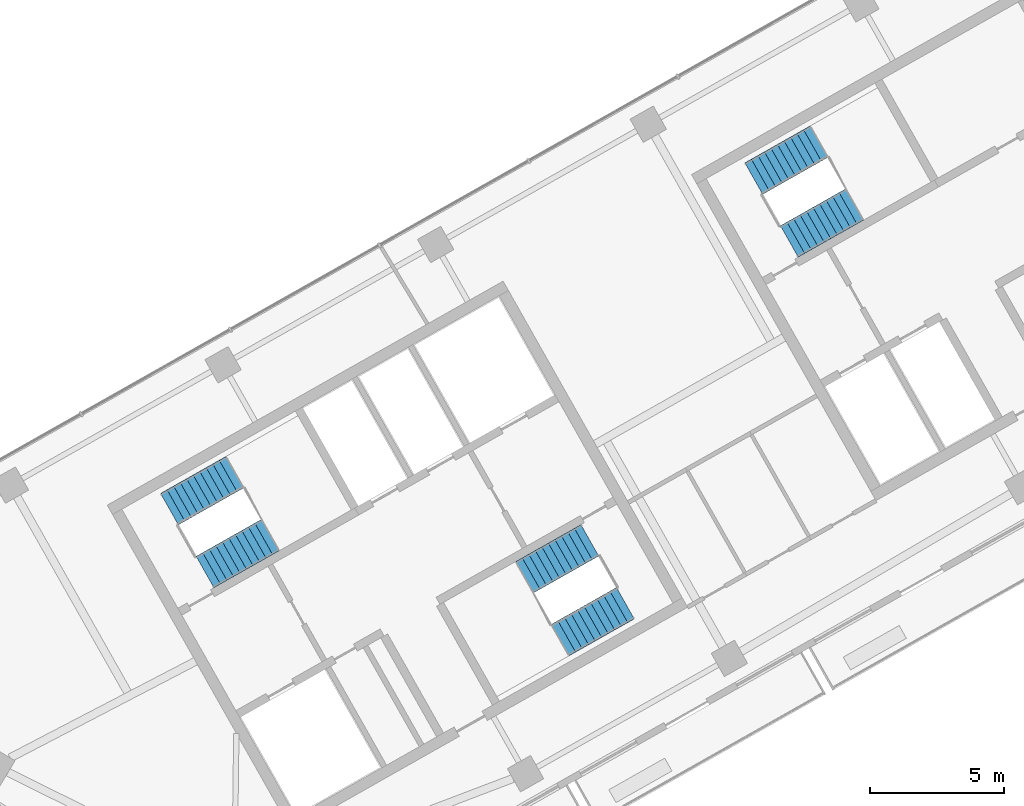
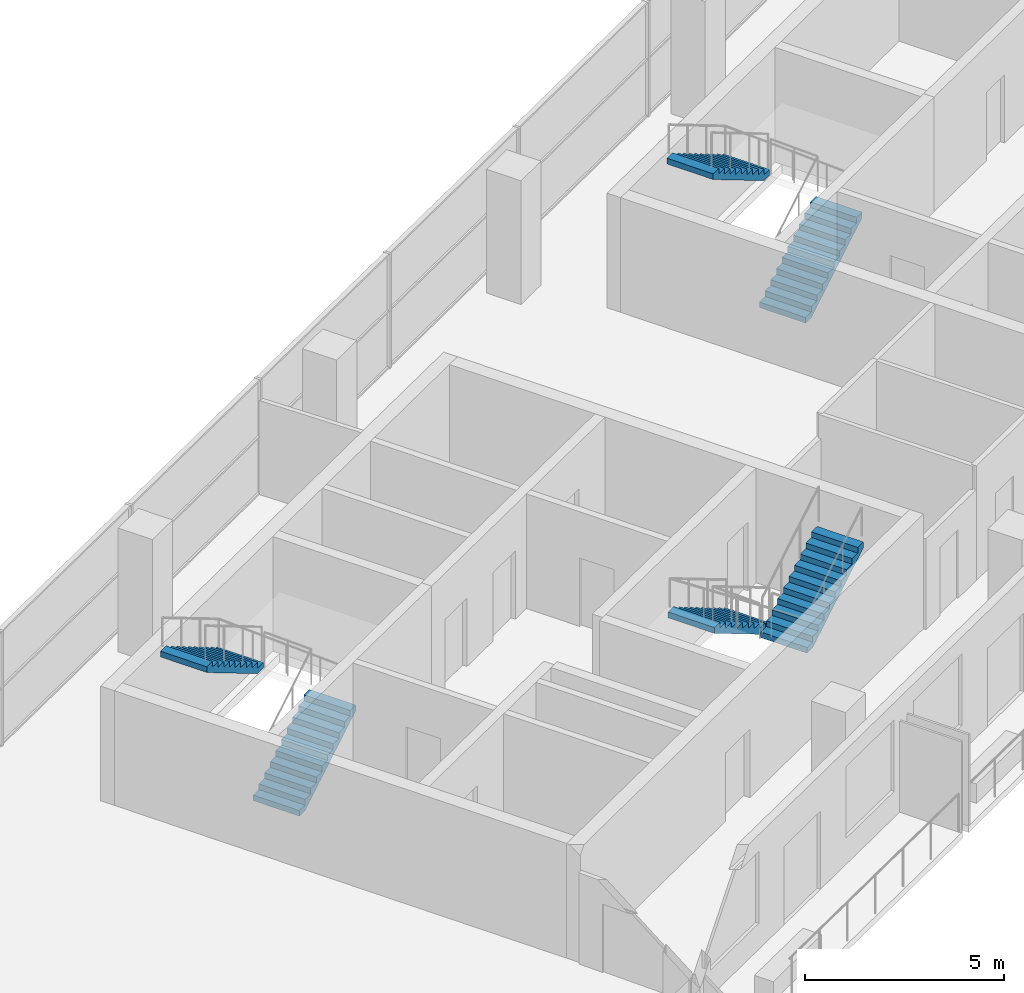
# One storey, part 8 of 10: 6 stair flights, 3 elements without a shape of their own.
"""IFC4 building model written with IfcOpenShell, lengths in metres."""

from ifc_helpers import new_model, si_unit, direction, frame, origin, place, context, subcontext, project, spatial, polyline, outline, extrude, material, type_object, element, aggregate, save


model = new_model("IFC4")

# Units and contexts
model_context = context("Model", 3, precision=1e-05, world=origin(), true_north=direction((0.0, 1.0)))
body_context = subcontext(model_context, "Body", "Model", "MODEL_VIEW")
ifc_project = project(units=[si_unit("LENGTHUNIT", "METRE"), si_unit("AREAUNIT", "SQUARE_METRE"), si_unit("VOLUMEUNIT", "CUBIC_METRE"), si_unit("PLANEANGLEUNIT", "RADIAN"), si_unit("MASSUNIT", "GRAM", prefix="KILO")], contexts=[model_context])

# Site, building, storey
site_placement = place(None, origin())
site = spatial("IfcSite", under=ifc_project, at=site_placement, CompositionType="ELEMENT")
building_placement = place(site_placement, origin())
building = spatial("IfcBuilding", under=site, at=building_placement, Name="Binnacle Exchange Tower", CompositionType="ELEMENT")
storey_placement = place(building_placement, frame((0.0, 0.0, 327.89990234375)))
storey = spatial("IfcBuildingStorey", under=building, at=storey_placement, Name="L74", CompositionType="ELEMENT", Elevation=327.89990234375)

# Stair, stair flights
ifc_material = material(Name="Concrete C35/45", Category="concrete")
stair_type = type_object("IfcStairType", Name="STAIR 22 RISERS 173", PredefinedType="HALF_TURN_STAIR", material=ifc_material)
stair_1_placement = place(storey_placement, origin())
stair_1 = element("IfcStair", 1, at=stair_1_placement, inside=storey, type_object=stair_type, Name="L74 Escape stair A1", PredefinedType="HALF_TURN_STAIR")
stair_flight_type = type_object("IfcStairFlightType", Name="STAIR FLIGHT 173X280", PredefinedType="STRAIGHT", material=ifc_material)
stair_flight_1_placement = place(storey_placement, frame((-42.9541015625, 39.17333984375, 0.0), z_axis=(0.0, 0.0, 1.0), x_axis=(0.870355584213, 0.492423757581, 0.0)))
stair_flight_1 = element("IfcStairFlight", 2, at=stair_flight_1_placement, type_object=stair_flight_type, Name="STA1 flight 1", NumberOfRisers=11, NumberOfTreads=10, PredefinedType="STRAIGHT", RiserHeight=0.172727273, TreadLength=0.28, context=body_context, shape_type="SweptSolid", body=[
    extrude(outline(polyline([(0.0, 0.0), (0.0, 0.172607421875), (0.280029296875, 0.172607421875), (0.280029296875, 0.345458984375), (0.56005859375, 0.345458984375), (0.56005859375, 0.51806640625), (0.840087890625, 0.51806640625), (0.840087890625, 0.69091796875), (1.1201171875, 0.69091796875), (1.1201171875, 0.863525390625), (1.39990234375, 0.863525390625), (1.39990234375, 1.036376953125), (1.679931640625, 1.036376953125), (1.679931640625, 1.208984375), (1.9599609375, 1.208984375), (1.9599609375, 1.3818359375), (2.239990234375, 1.3818359375), (2.239990234375, 1.554443359375), (2.52001953125, 1.554443359375), (2.52001953125, 1.727294921875), (2.800048828125, 1.727294921875), (2.800048828125, 1.89990234375), (2.800048828125, 1.551025390625), (0.285400390625, 0.0), (0.0, 0.0)])), frame((0.0, 0.675048828125, 0.0), z_axis=(0.0, -1.0, 0.0), x_axis=(1.0, 0.0, 0.0)), (0.0, 0.0, 1.0), 1.35009765625),
])
stair_flight_2_placement = place(storey_placement, frame((-41.846435546875, 42.902099609375, 1.900146484375), z_axis=(0.0, 0.0, 1.0), x_axis=(-0.870355584213, -0.492423757581, 0.0)))
stair_flight_2 = element("IfcStairFlight", 3, at=stair_flight_2_placement, type_object=stair_flight_type, Name="STA1 flight 2", NumberOfRisers=11, NumberOfTreads=10, PredefinedType="STRAIGHT", RiserHeight=0.172727273, TreadLength=0.28, context=body_context, shape_type="SweptSolid", body=[
    extrude(outline(polyline([(0.0, 0.0), (0.0, 0.172607421875), (0.280029296875, 0.172607421875), (0.280029296875, 0.345458984375), (0.56005859375, 0.345458984375), (0.56005859375, 0.51806640625), (0.840087890625, 0.51806640625), (0.840087890625, 0.69091796875), (1.1201171875, 0.69091796875), (1.1201171875, 0.863525390625), (1.39990234375, 0.863525390625), (1.39990234375, 1.036376953125), (1.679931640625, 1.036376953125), (1.679931640625, 1.208984375), (1.9599609375, 1.208984375), (1.9599609375, 1.3818359375), (2.239990234375, 1.3818359375), (2.239990234375, 1.554443359375), (2.52001953125, 1.554443359375), (2.52001953125, 1.727294921875), (2.800048828125, 1.727294921875), (2.800048828125, 1.89990234375), (2.800048828125, 1.551025390625), (0.285400390625, 0.0), (0.0, 0.0)])), frame((0.0, 0.675048828125, 0.0), z_axis=(0.0, -1.0, 0.0), x_axis=(1.0, 0.0, 0.0)), (0.0, 0.0, 1.0), 1.35009765625),
])
aggregate(stair_1, [stair_flight_1, stair_flight_2])

stair_2_placement = place(storey_placement, origin())
stair_2 = element("IfcStair", 4, at=stair_2_placement, inside=storey, type_object=stair_type, Name="L74 Escape stair A2", PredefinedType="HALF_TURN_STAIR")
stair_flight_3_placement = place(storey_placement, frame((-28.5732421875, 40.3583984375, 0.0), z_axis=(0.0, 0.0, 1.0), x_axis=(-0.870355584213, -0.492423757581, 0.0)))
stair_flight_3 = element("IfcStairFlight", 5, at=stair_flight_3_placement, type_object=stair_flight_type, Name="STA2 flight 1", NumberOfRisers=11, NumberOfTreads=10, PredefinedType="STRAIGHT", RiserHeight=0.172727273, TreadLength=0.28, context=body_context, shape_type="SweptSolid", body=[
    extrude(outline(polyline([(0.0, 0.0), (0.0, 0.172607421875), (0.280029296875, 0.172607421875), (0.280029296875, 0.345458984375), (0.56005859375, 0.345458984375), (0.56005859375, 0.51806640625), (0.840087890625, 0.51806640625), (0.840087890625, 0.69091796875), (1.1201171875, 0.69091796875), (1.1201171875, 0.863525390625), (1.39990234375, 0.863525390625), (1.39990234375, 1.036376953125), (1.679931640625, 1.036376953125), (1.679931640625, 1.208984375), (1.9599609375, 1.208984375), (1.9599609375, 1.3818359375), (2.239990234375, 1.3818359375), (2.239990234375, 1.554443359375), (2.52001953125, 1.554443359375), (2.52001953125, 1.727294921875), (2.800048828125, 1.727294921875), (2.800048828125, 1.89990234375), (2.800048828125, 1.551025390625), (0.285400390625, 0.0), (0.0, 0.0)])), frame((0.0, 0.675048828125, 0.0), z_axis=(0.0, -1.0, 0.0), x_axis=(1.0, 0.0, 0.0)), (0.0, 0.0, 1.0), 1.35009765625),
])
stair_flight_4_placement = place(storey_placement, frame((-29.6806640625, 36.629638671875, 1.900146484375), z_axis=(0.0, 0.0, 1.0), x_axis=(0.870355584213, 0.492423757581, 0.0)))
stair_flight_4 = element("IfcStairFlight", 6, at=stair_flight_4_placement, type_object=stair_flight_type, Name="STA2 flight 2", NumberOfRisers=11, NumberOfTreads=10, PredefinedType="STRAIGHT", RiserHeight=0.172727273, TreadLength=0.28, context=body_context, shape_type="SweptSolid", body=[
    extrude(outline(polyline([(0.0, 0.0), (0.0, 0.172607421875), (0.280029296875, 0.172607421875), (0.280029296875, 0.345458984375), (0.56005859375, 0.345458984375), (0.56005859375, 0.51806640625), (0.840087890625, 0.51806640625), (0.840087890625, 0.69091796875), (1.1201171875, 0.69091796875), (1.1201171875, 0.863525390625), (1.39990234375, 0.863525390625), (1.39990234375, 1.036376953125), (1.679931640625, 1.036376953125), (1.679931640625, 1.208984375), (1.9599609375, 1.208984375), (1.9599609375, 1.3818359375), (2.239990234375, 1.3818359375), (2.239990234375, 1.554443359375), (2.52001953125, 1.554443359375), (2.52001953125, 1.727294921875), (2.800048828125, 1.727294921875), (2.800048828125, 1.89990234375), (2.800048828125, 1.551025390625), (0.285400390625, 0.0), (0.0, 0.0)])), frame((0.0, 0.675048828125, 0.0), z_axis=(0.0, -1.0, 0.0), x_axis=(1.0, 0.0, 0.0)), (0.0, 0.0, 1.0), 1.35009765625),
])
aggregate(stair_2, [stair_flight_3, stair_flight_4])

stair_3_placement = place(storey_placement, origin())
stair_3 = element("IfcStair", 7, at=stair_3_placement, inside=storey, type_object=stair_type, Name="L74 Escape stair C1", PredefinedType="HALF_TURN_STAIR")
stair_flight_5_placement = place(storey_placement, frame((-21.115966796875, 51.528564453125, 0.0), z_axis=(0.0, 0.0, 1.0), x_axis=(0.870355584213, 0.492423757581, 0.0)))
stair_flight_5 = element("IfcStairFlight", 8, at=stair_flight_5_placement, type_object=stair_flight_type, Name="STC1 flight 1", NumberOfRisers=11, NumberOfTreads=10, PredefinedType="STRAIGHT", RiserHeight=0.172727273, TreadLength=0.28, context=body_context, shape_type="SweptSolid", body=[
    extrude(outline(polyline([(0.0, 0.0), (0.0, 0.172607421875), (0.280029296875, 0.172607421875), (0.280029296875, 0.345458984375), (0.56005859375, 0.345458984375), (0.56005859375, 0.51806640625), (0.840087890625, 0.51806640625), (0.840087890625, 0.69091796875), (1.1201171875, 0.69091796875), (1.1201171875, 0.863525390625), (1.39990234375, 0.863525390625), (1.39990234375, 1.036376953125), (1.679931640625, 1.036376953125), (1.679931640625, 1.208984375), (1.9599609375, 1.208984375), (1.9599609375, 1.3818359375), (2.239990234375, 1.3818359375), (2.239990234375, 1.554443359375), (2.52001953125, 1.554443359375), (2.52001953125, 1.727294921875), (2.800048828125, 1.727294921875), (2.800048828125, 1.89990234375), (2.800048828125, 1.551025390625), (0.285400390625, 0.0), (0.0, 0.0)])), frame((0.0, 0.675048828125, 0.0), z_axis=(0.0, -1.0, 0.0), x_axis=(1.0, 0.0, 0.0)), (0.0, 0.0, 1.0), 1.35009765625),
])
stair_flight_6_placement = place(storey_placement, frame((-20.008544921875, 55.25732421875, 1.900146484375), z_axis=(0.0, 0.0, 1.0), x_axis=(-0.870355584213, -0.492423757581, 0.0)))
stair_flight_6 = element("IfcStairFlight", 9, at=stair_flight_6_placement, type_object=stair_flight_type, Name="STC1 flight 2", NumberOfRisers=11, NumberOfTreads=10, PredefinedType="STRAIGHT", RiserHeight=0.172727273, TreadLength=0.28, context=body_context, shape_type="SweptSolid", body=[
    extrude(outline(polyline([(0.0, 0.0), (0.0, 0.172607421875), (0.280029296875, 0.172607421875), (0.280029296875, 0.345458984375), (0.56005859375, 0.345458984375), (0.56005859375, 0.51806640625), (0.840087890625, 0.51806640625), (0.840087890625, 0.69091796875), (1.1201171875, 0.69091796875), (1.1201171875, 0.863525390625), (1.39990234375, 0.863525390625), (1.39990234375, 1.036376953125), (1.679931640625, 1.036376953125), (1.679931640625, 1.208984375), (1.9599609375, 1.208984375), (1.9599609375, 1.3818359375), (2.239990234375, 1.3818359375), (2.239990234375, 1.554443359375), (2.52001953125, 1.554443359375), (2.52001953125, 1.727294921875), (2.800048828125, 1.727294921875), (2.800048828125, 1.89990234375), (2.800048828125, 1.551025390625), (0.285400390625, 0.0), (0.0, 0.0)])), frame((0.0, 0.675048828125, 0.0), z_axis=(0.0, -1.0, 0.0), x_axis=(1.0, 0.0, 0.0)), (0.0, 0.0, 1.0), 1.35009765625),
])
aggregate(stair_3, [stair_flight_5, stair_flight_6])

save(model, "model.ifc")
